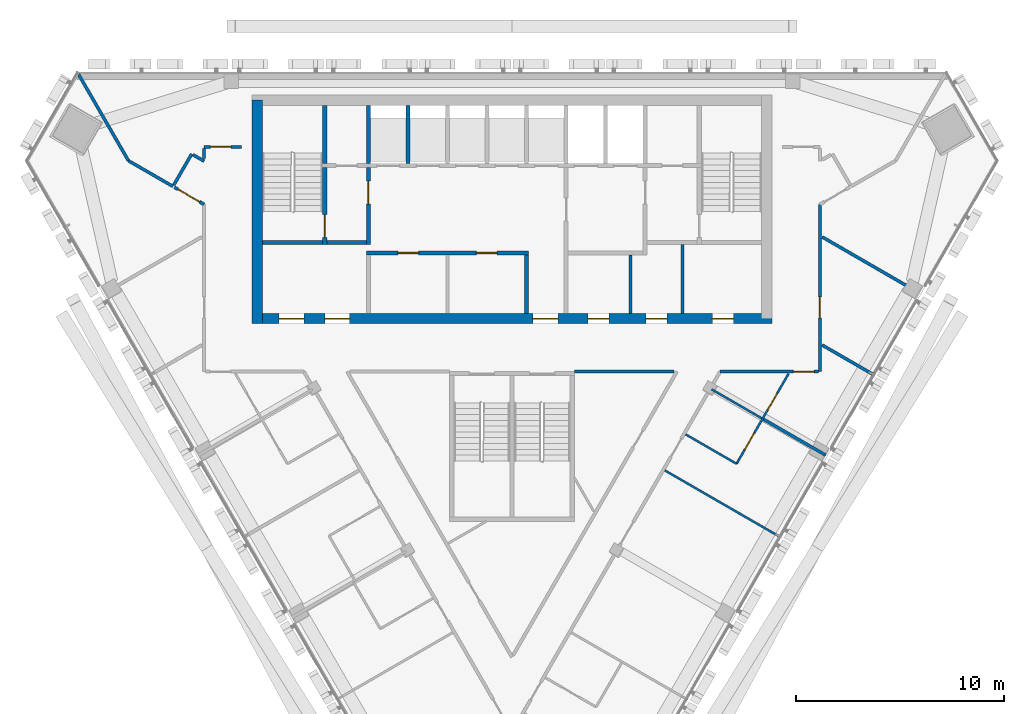
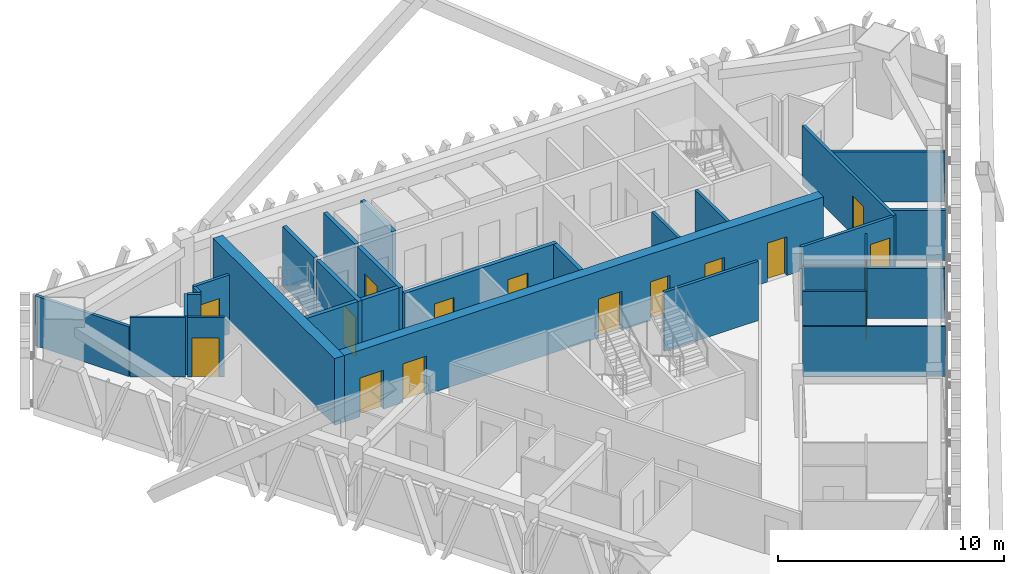
# One storey, part 9 of 14: 30 walls, 16 doors, 16 openings.
"""IFC4 building model written with IfcOpenShell, lengths in metres."""

from ifc_helpers import new_model, si_unit, direction, frame, frame_2d, origin, place, context, subcontext, project, spatial, rectangle, extrude, material, layer, layer_set, type_object, element, fill, save


model = new_model("IFC4")

# Units and contexts
model_context = context("Model", 3, precision=1e-05, world=origin(), true_north=direction((0.0, 1.0)))
body_context = subcontext(model_context, "Body", "Model", "MODEL_VIEW")
ifc_project = project(units=[si_unit("LENGTHUNIT", "METRE"), si_unit("AREAUNIT", "SQUARE_METRE"), si_unit("VOLUMEUNIT", "CUBIC_METRE"), si_unit("PLANEANGLEUNIT", "RADIAN"), si_unit("MASSUNIT", "GRAM", prefix="KILO")], contexts=[model_context])

# Site, building, storey
site_placement = place(None, origin())
site = spatial("IfcSite", under=ifc_project, at=site_placement, CompositionType="ELEMENT")
building_placement = place(site_placement, origin())
building = spatial("IfcBuilding", under=site, at=building_placement, Name="Altiplano Prism Tower", CompositionType="ELEMENT")
storey_placement = place(building_placement, frame((0.0, 0.0, 264.39990234375)))
storey = spatial("IfcBuildingStorey", under=building, at=storey_placement, Name="L68", CompositionType="ELEMENT", Elevation=264.39990234375)

# Wall, openings, doors
ifc_material_1 = material(Name="Concrete C60/75", Category="concrete")
ifc_layer_1 = layer(ifc_material_1, 0.5)
ifc_layer_set_1 = layer_set([ifc_layer_1], Name="Concrete C60/75")
wall_type_1 = type_object("IfcWallType", Name="Core wall 500", PredefinedType="SHEAR", material=ifc_layer_set_1)
wall_1_placement = place(storey_placement, frame((72.75, 93.14990234375, 0.0), z_axis=(0.0, 0.0, 1.0), x_axis=(1.0, 0.0, 0.0)))
wall_1 = element("IfcWall", 1, at=wall_1_placement, inside=storey, type_object=wall_type_1, Name="Core wall S L68", PredefinedType="SHEAR", context=body_context, shape_type="SweptSolid", body=[
    extrude(rectangle(XDim=24.75, YDim=0.5, at=frame_2d((12.375, 0.0))), origin(), (0.0, 0.0, 1.0), 3.60009765625),
])
opening_1_placement = place(wall_1_placement, frame((1.050048828125, 0.0, 0.0)))
opening_1 = element("IfcOpeningElement", 2, at=opening_1_placement, cuts=wall_1, Name="Opening D3537", PredefinedType="OPENING", context=body_context, shape_type="SweptSolid", body=[
    extrude(rectangle(XDim=1.199951171875, YDim=2.10009765625, at=frame_2d((0.60009765625, 1.050048828125))), frame((0.0, 0.260498046875, 0.0), z_axis=(0.0, -1.0, 0.0), x_axis=(1.0, 0.0, 0.0)), (0.0, 0.0, 1.0), 0.52099609375),
])
opening_2_placement = place(wall_1_placement, frame((3.25, 0.0, 0.0)))
opening_2 = element("IfcOpeningElement", 3, at=opening_2_placement, cuts=wall_1, Name="Opening D3538", PredefinedType="OPENING", context=body_context, shape_type="SweptSolid", body=[
    extrude(rectangle(XDim=1.199951171875, YDim=2.10009765625, at=frame_2d((0.60009765625, 1.050048828125))), frame((0.0, 0.260498046875, 0.0), z_axis=(0.0, -1.0, 0.0), x_axis=(1.0, 0.0, 0.0)), (0.0, 0.0, 1.0), 0.52099609375),
])
opening_3_placement = place(wall_1_placement, frame((13.25, 0.0, 0.0)))
opening_3 = element("IfcOpeningElement", 4, at=opening_3_placement, cuts=wall_1, Name="Opening D3539", PredefinedType="OPENING", context=body_context, shape_type="SweptSolid", body=[
    extrude(rectangle(XDim=1.199951171875, YDim=2.10009765625, at=frame_2d((0.60009765625, 1.050048828125))), frame((0.0, 0.260498046875, 0.0), z_axis=(0.0, -1.0, 0.0), x_axis=(1.0, 0.0, 0.0)), (0.0, 0.0, 1.0), 0.52099609375),
])
opening_4_placement = place(wall_1_placement, frame((15.91259765625, 0.0, 0.0)))
opening_4 = element("IfcOpeningElement", 5, at=opening_4_placement, cuts=wall_1, Name="Opening D3542", PredefinedType="OPENING", context=body_context, shape_type="SweptSolid", body=[
    extrude(rectangle(XDim=1.0, YDim=2.10009765625, at=frame_2d((0.5, 1.050048828125))), frame((0.0, 0.260498046875, 0.0), z_axis=(0.0, -1.0, 0.0), x_axis=(1.0, 0.0, 0.0)), (0.0, 0.0, 1.0), 0.52099609375),
])
opening_5_placement = place(wall_1_placement, frame((18.699951171875, 0.0, 0.0)))
opening_5 = element("IfcOpeningElement", 6, at=opening_5_placement, cuts=wall_1, Name="Opening D3543", PredefinedType="OPENING", context=body_context, shape_type="SweptSolid", body=[
    extrude(rectangle(XDim=1.0, YDim=2.10009765625, at=frame_2d((0.5, 1.050048828125))), frame((0.0, 0.260498046875, 0.0), z_axis=(0.0, -1.0, 0.0), x_axis=(1.0, 0.0, 0.0)), (0.0, 0.0, 1.0), 0.52099609375),
])
opening_6_placement = place(wall_1_placement, frame((21.887451171875, 0.0, 0.0)))
opening_6 = element("IfcOpeningElement", 7, at=opening_6_placement, cuts=wall_1, Name="Opening D3544", PredefinedType="OPENING", context=body_context, shape_type="SweptSolid", body=[
    extrude(rectangle(XDim=1.0, YDim=2.10009765625, at=frame_2d((0.5, 1.050048828125))), frame((0.0, 0.260498046875, 0.0), z_axis=(0.0, -1.0, 0.0), x_axis=(1.0, 0.0, 0.0)), (0.0, 0.0, 1.0), 0.52099609375),
])
ifc_material_2 = material(Name="Fire-rated steel door", Category="steel")
door_type_1 = type_object("IfcDoorType", Name="Core room door 1000 x 2100", OperationType="NOTDEFINED", PredefinedType="NOTDEFINED", material=ifc_material_2)
door_1_placement = place(opening_4_placement, origin())
door_1 = element("IfcDoor", 8, at=door_1_placement, inside=storey, type_object=door_type_1, Name="Core room door D3542", OperationType="SINGLE_SWING_RIGHT", OverallHeight=2.10009765625, OverallWidth=1.0, PredefinedType="NOTDEFINED", context=body_context, shape_type="SweptSolid", body=[
    extrude(rectangle(XDim=1.0, YDim=2.10009765625, at=frame_2d((0.5, 1.050048828125))), frame((0.0, 0.02490234375, 0.0), z_axis=(0.0, -1.0, 0.0), x_axis=(1.0, 0.0, 0.0)), (0.0, 0.0, 1.0), 0.050048828125),
])
fill(opening_4, door_1)
door_2_placement = place(opening_5_placement, origin())
door_2 = element("IfcDoor", 9, at=door_2_placement, inside=storey, type_object=door_type_1, Name="Core room door D3543", OperationType="SINGLE_SWING_LEFT", OverallHeight=2.10009765625, OverallWidth=1.0, PredefinedType="NOTDEFINED", context=body_context, shape_type="SweptSolid", body=[
    extrude(rectangle(XDim=1.0, YDim=2.10009765625, at=frame_2d((0.5, 1.050048828125))), frame((0.0, 0.02490234375, 0.0), z_axis=(0.0, -1.0, 0.0), x_axis=(1.0, 0.0, 0.0)), (0.0, 0.0, 1.0), 0.050048828125),
])
fill(opening_5, door_2)
door_3_placement = place(opening_6_placement, origin())
door_3 = element("IfcDoor", 10, at=door_3_placement, inside=storey, type_object=door_type_1, Name="Core room door D3544", OperationType="SINGLE_SWING_RIGHT", OverallHeight=2.10009765625, OverallWidth=1.0, PredefinedType="NOTDEFINED", context=body_context, shape_type="SweptSolid", body=[
    extrude(rectangle(XDim=1.0, YDim=2.10009765625, at=frame_2d((0.5, 1.050048828125))), frame((0.0, 0.02490234375, 0.0), z_axis=(0.0, -1.0, 0.0), x_axis=(1.0, 0.0, 0.0)), (0.0, 0.0, 1.0), 0.050048828125),
])
fill(opening_6, door_3)
door_type_2 = type_object("IfcDoorType", Name="Lobby fire door 1200 x 2100", OperationType="NOTDEFINED", PredefinedType="NOTDEFINED", material=ifc_material_2)
door_4_placement = place(opening_1_placement, origin())
door_4 = element("IfcDoor", 11, at=door_4_placement, inside=storey, type_object=door_type_2, Name="Lobby fire door D3537", OperationType="SINGLE_SWING_RIGHT", OverallHeight=2.10009765625, OverallWidth=1.199951171875, PredefinedType="NOTDEFINED", context=body_context, shape_type="SweptSolid", body=[
    extrude(rectangle(XDim=1.199951171875, YDim=2.10009765625, at=frame_2d((0.60009765625, 1.050048828125))), frame((0.0, 0.02490234375, 0.0), z_axis=(0.0, -1.0, 0.0), x_axis=(1.0, 0.0, 0.0)), (0.0, 0.0, 1.0), 0.050048828125),
])
fill(opening_1, door_4)
door_5_placement = place(opening_2_placement, origin())
door_5 = element("IfcDoor", 12, at=door_5_placement, inside=storey, type_object=door_type_2, Name="Lobby fire door D3538", OperationType="SINGLE_SWING_LEFT", OverallHeight=2.10009765625, OverallWidth=1.199951171875, PredefinedType="NOTDEFINED", context=body_context, shape_type="SweptSolid", body=[
    extrude(rectangle(XDim=1.199951171875, YDim=2.10009765625, at=frame_2d((0.60009765625, 1.050048828125))), frame((0.0, 0.02490234375, 0.0), z_axis=(0.0, -1.0, 0.0), x_axis=(1.0, 0.0, 0.0)), (0.0, 0.0, 1.0), 0.050048828125),
])
fill(opening_2, door_5)
door_6_placement = place(opening_3_placement, origin())
door_6 = element("IfcDoor", 13, at=door_6_placement, inside=storey, type_object=door_type_2, Name="Lobby fire door D3539", OperationType="SINGLE_SWING_RIGHT", OverallHeight=2.10009765625, OverallWidth=1.199951171875, PredefinedType="NOTDEFINED", context=body_context, shape_type="SweptSolid", body=[
    extrude(rectangle(XDim=1.199951171875, YDim=2.10009765625, at=frame_2d((0.60009765625, 1.050048828125))), frame((0.0, 0.02490234375, 0.0), z_axis=(0.0, -1.0, 0.0), x_axis=(1.0, 0.0, 0.0)), (0.0, 0.0, 1.0), 0.050048828125),
])
fill(opening_3, door_6)

# Walls
wall_2_placement = place(storey_placement, frame((72.75, 103.64990234375, 0.0), z_axis=(0.0, 0.0, 1.0), x_axis=(0.0, -1.0, 0.0)))
element("IfcWall", 14, at=wall_2_placement, inside=storey, type_object=wall_type_1, Name="Core wall W L68", PredefinedType="SHEAR", context=body_context, shape_type="SweptSolid", body=[
    extrude(rectangle(XDim=10.75, YDim=0.5, at=frame_2d((5.375, 0.0))), origin(), (0.0, 0.0, 1.0), 3.60009765625),
])
ifc_material_3 = material(Name="Plasterboard on steel stud", Category="steel")
ifc_layer_2 = layer(ifc_material_3, 0.10009765625)
ifc_layer_set_2 = layer_set([ifc_layer_2], Name="Plasterboard on steel stud")
wall_type_2 = type_object("IfcWallType", Name="Partition 100 unit", PredefinedType="PARTITIONING", material=ifc_layer_set_2)
wall_3_placement = place(storey_placement, frame((95.7939453125, 86.16845703125, 0.0), z_axis=(0.0, 0.0, 1.0), x_axis=(-0.866048868473, 0.499959355765, 0.0)))
element("IfcWall", 15, at=wall_3_placement, inside=storey, type_object=wall_type_2, Name="Partition P02 L68 045", PredefinedType="PARTITIONING", context=body_context, shape_type="SweptSolid", body=[
    extrude(rectangle(XDim=2.824951171875, YDim=0.10009765625, at=frame_2d((1.41259765625, 0.0))), origin(), (0.0, 0.0, 1.0), 3.2001953125),
])

# Wall, openings, doors
wall_4_placement = place(storey_placement, frame((98.2939453125, 90.49853515625, 0.0), z_axis=(0.0, 0.0, 1.0), x_axis=(-0.500004234368, -0.866022959057, 0.0)))
wall_4 = element("IfcWall", 16, at=wall_4_placement, inside=storey, type_object=wall_type_2, Name="Partition P02 L68 048", PredefinedType="PARTITIONING", context=body_context, shape_type="SweptSolid", body=[
    extrude(rectangle(XDim=5.0, YDim=0.10009765625, at=frame_2d((2.5, 0.0))), origin(), (0.0, 0.0, 1.0), 2.800048828125),
])
opening_7_placement = place(wall_4_placement, frame((3.300048828125, 0.0, 0.0)))
opening_7 = element("IfcOpeningElement", 17, at=opening_7_placement, cuts=wall_4, Name="Opening D2172", PredefinedType="OPENING", context=body_context, shape_type="SweptSolid", body=[
    extrude(rectangle(XDim=0.89990234375, YDim=2.10009765625, at=frame_2d((0.449951171875, 1.050048828125))), frame((0.0, 0.060546875, 0.0), z_axis=(0.0, -1.0, 0.0), x_axis=(1.0, 0.0, 0.0)), (0.0, 0.0, 1.0), 0.12109375),
])
opening_8_placement = place(wall_4_placement, frame((1.097900390625, 0.0, 0.0)))
opening_8 = element("IfcOpeningElement", 18, at=opening_8_placement, cuts=wall_4, Name="Opening D2174", PredefinedType="OPENING", context=body_context, shape_type="SweptSolid", body=[
    extrude(rectangle(XDim=0.89990234375, YDim=2.10009765625, at=frame_2d((0.449951171875, 1.050048828125))), frame((0.0, 0.060546875, 0.0), z_axis=(0.0, -1.0, 0.0), x_axis=(1.0, 0.0, 0.0)), (0.0, 0.0, 1.0), 0.12109375),
])
ifc_material_4 = material(Name="Timber", Category="wood")
door_type_3 = type_object("IfcDoorType", Name="Ensuite door 900 x 2100", OperationType="NOTDEFINED", PredefinedType="NOTDEFINED", material=ifc_material_4)
door_7_placement = place(opening_7_placement, origin())
door_7 = element("IfcDoor", 19, at=door_7_placement, inside=storey, type_object=door_type_3, Name="Door D2172", OperationType="SINGLE_SWING_RIGHT", OverallHeight=2.10009765625, OverallWidth=0.89990234375, PredefinedType="NOTDEFINED", context=body_context, shape_type="SweptSolid", body=[
    extrude(rectangle(XDim=0.89990234375, YDim=2.10009765625, at=frame_2d((0.449951171875, 1.050048828125))), frame((0.0, 0.02490234375, 0.0), z_axis=(0.0, -1.0, 0.0), x_axis=(1.0, 0.0, 0.0)), (0.0, 0.0, 1.0), 0.050048828125),
])
fill(opening_7, door_7)
door_8_placement = place(opening_8_placement, origin())
door_8 = element("IfcDoor", 20, at=door_8_placement, inside=storey, type_object=door_type_3, Name="Door D2174", OperationType="SINGLE_SWING_LEFT", OverallHeight=2.10009765625, OverallWidth=0.89990234375, PredefinedType="NOTDEFINED", context=body_context, shape_type="SweptSolid", body=[
    extrude(rectangle(XDim=0.89990234375, YDim=2.10009765625, at=frame_2d((0.449951171875, 1.050048828125))), frame((0.0, 0.02490234375, 0.0), z_axis=(0.0, -1.0, 0.0), x_axis=(1.0, 0.0, 0.0)), (0.0, 0.0, 1.0), 0.050048828125),
])
fill(opening_8, door_8)

# Walls
ifc_layer_3 = layer(ifc_material_3, 0.10009765625)
ifc_layer_set_3 = layer_set([ifc_layer_3], Name="Plasterboard on steel stud")
wall_type_3 = type_object("IfcWallType", Name="Partition 100 wet", PredefinedType="PARTITIONING", material=ifc_layer_set_3)
wall_5_placement = place(storey_placement, frame((97.842529296875, 82.67626953125, 0.0), z_axis=(0.0, 0.0, 1.0), x_axis=(-0.866025401434, 0.500000004071, 0.0)))
element("IfcWall", 21, at=wall_5_placement, inside=storey, type_object=wall_type_3, Name="Partition P03 L68 044", PredefinedType="PARTITIONING", context=body_context, shape_type="SweptSolid", body=[
    extrude(rectangle(XDim=6.34521484375, YDim=0.10009765625, at=frame_2d((3.172607421875, 0.0))), origin(), (0.0, 0.0, 1.0), 2.7001953125),
])
wall_6_placement = place(storey_placement, frame((97.000732421875, 88.3583984375, 0.0), z_axis=(0.0, 0.0, 1.0), x_axis=(-0.866042014628, 0.499971228071, 0.0)))
element("IfcWall", 22, at=wall_6_placement, inside=storey, type_object=wall_type_3, Name="Partition P03 L68 047", PredefinedType="PARTITIONING", context=body_context, shape_type="SweptSolid", body=[
    extrude(rectangle(XDim=2.775146484375, YDim=0.10009765625, at=frame_2d((1.3876953125, 0.0))), origin(), (0.0, 0.0, 1.0), 2.800048828125),
])
ifc_layer_4 = layer(ifc_material_3, 0.14990234375)
ifc_layer_set_4 = layer_set([ifc_layer_4], Name="Plasterboard on steel stud")
wall_type_4 = type_object("IfcWallType", Name="Partition 150 corridor", PredefinedType="PARTITIONING", material=ifc_layer_set_4)
wall_7_placement = place(storey_placement, frame((88.0, 90.59912109375, 0.0), z_axis=(0.0, 0.0, 1.0), x_axis=(0.999999988337, 0.00015272616, 0.0)))
element("IfcWall", 23, at=wall_7_placement, inside=storey, type_object=wall_type_4, Name="Partition P06 L68 001", PredefinedType="PARTITIONING", context=body_context, shape_type="SweptSolid", body=[
    extrude(rectangle(XDim=4.795654296875, YDim=0.14990234375, at=frame_2d((2.39794921875, 0.0))), origin(), (0.0, 0.0, 1.0), 3.2001953125),
])

# Wall, opening, door
wall_8_placement = place(storey_placement, frame((68.767822265625, 99.46240234375, 0.0), z_axis=(0.0, 0.0, 1.0), x_axis=(0.866072496716, -0.499918423778, 0.0)))
wall_8 = element("IfcWall", 24, at=wall_8_placement, inside=storey, type_object=wall_type_4, Name="Partition P06 L68 005", PredefinedType="PARTITIONING", context=body_context, shape_type="SweptSolid", body=[
    extrude(rectangle(XDim=1.653564453125, YDim=0.14990234375, at=frame_2d((0.82666015625, 0.0))), origin(), (0.0, 0.0, 1.0), 3.2001953125),
])
opening_9_placement = place(wall_8_placement, frame((0.199951171875, 0.0, 0.0)))
opening_9 = element("IfcOpeningElement", 25, at=opening_9_placement, cuts=wall_8, Name="Opening D2157", PredefinedType="OPENING", context=body_context, shape_type="SweptSolid", body=[
    extrude(rectangle(XDim=1.199951171875, YDim=2.10009765625, at=frame_2d((0.60009765625, 1.050048828125))), frame((0.0, 0.08544921875, 0.0), z_axis=(0.0, -1.0, 0.0), x_axis=(1.0, 0.0, 0.0)), (0.0, 0.0, 1.0), 0.1708984375),
])
door_type_4 = type_object("IfcDoorType", Name="Shared room door 1200 x 2100", OperationType="NOTDEFINED", PredefinedType="NOTDEFINED", material=ifc_material_4)
door_9_placement = place(opening_9_placement, origin())
door_9 = element("IfcDoor", 26, at=door_9_placement, inside=storey, type_object=door_type_4, Name="Door D2157", OperationType="SINGLE_SWING_RIGHT", OverallHeight=2.10009765625, OverallWidth=1.199951171875, PredefinedType="NOTDEFINED", context=body_context, shape_type="SweptSolid", body=[
    extrude(rectangle(XDim=1.199951171875, YDim=2.10009765625, at=frame_2d((0.60009765625, 1.050048828125))), frame((0.0, 0.02490234375, 0.0), z_axis=(0.0, -1.0, 0.0), x_axis=(1.0, 0.0, 0.0)), (0.0, 0.0, 1.0), 0.050048828125),
])
fill(opening_9, door_9)

wall_9_placement = place(storey_placement, frame((95.00390625, 90.60009765625, 0.0), z_axis=(0.0, 0.0, 1.0), x_axis=(1.0, 0.0, 0.0)))
wall_9 = element("IfcWall", 27, at=wall_9_placement, inside=storey, type_object=wall_type_4, Name="Partition P06 L68 010", PredefinedType="PARTITIONING", context=body_context, shape_type="SweptSolid", body=[
    extrude(rectangle(XDim=4.72119140625, YDim=0.14990234375, at=frame_2d((2.360595703125, 0.0))), origin(), (0.0, 0.0, 1.0), 3.2001953125),
])
opening_10_placement = place(wall_9_placement, frame((3.52099609375, 0.0, 0.0)))
opening_10 = element("IfcOpeningElement", 28, at=opening_10_placement, cuts=wall_9, Name="Opening D2173", PredefinedType="OPENING", context=body_context, shape_type="SweptSolid", body=[
    extrude(rectangle(XDim=1.0, YDim=2.10009765625, at=frame_2d((0.5, 1.050048828125))), frame((0.0, 0.08544921875, 0.0), z_axis=(0.0, -1.0, 0.0), x_axis=(1.0, 0.0, 0.0)), (0.0, 0.0, 1.0), 0.1708984375),
])
door_type_5 = type_object("IfcDoorType", Name="Bedroom entrance door 1000 x 2100", OperationType="NOTDEFINED", PredefinedType="NOTDEFINED", material=ifc_material_4)
door_10_placement = place(opening_10_placement, origin())
door_10 = element("IfcDoor", 29, at=door_10_placement, inside=storey, type_object=door_type_5, Name="Door D2173", OperationType="SINGLE_SWING_RIGHT", OverallHeight=2.10009765625, OverallWidth=1.0, PredefinedType="NOTDEFINED", context=body_context, shape_type="SweptSolid", body=[
    extrude(rectangle(XDim=1.0, YDim=2.10009765625, at=frame_2d((0.5, 1.050048828125))), frame((0.0, 0.02490234375, 0.0), z_axis=(0.0, -1.0, 0.0), x_axis=(1.0, 0.0, 0.0)), (0.0, 0.0, 1.0), 0.050048828125),
])
fill(opening_10, door_10)

wall_10_placement = place(storey_placement, frame((99.800048828125, 90.60009765625, 0.0), z_axis=(0.0, 0.0, 1.0), x_axis=(0.0, 1.0, 0.0)))
wall_10 = element("IfcWall", 30, at=wall_10_placement, inside=storey, type_object=wall_type_4, Name="Partition P06 L68 011", PredefinedType="PARTITIONING", context=body_context, shape_type="SweptSolid", body=[
    extrude(rectangle(XDim=8.03564453125, YDim=0.14990234375, at=frame_2d((4.017822265625, 0.0))), origin(), (0.0, 0.0, 1.0), 3.2001953125),
])
opening_11_placement = place(wall_10_placement, frame((2.5859375, 0.0, 0.0)))
opening_11 = element("IfcOpeningElement", 31, at=opening_11_placement, cuts=wall_10, Name="Opening D2175", PredefinedType="OPENING", context=body_context, shape_type="SweptSolid", body=[
    extrude(rectangle(XDim=1.0, YDim=2.10009765625, at=frame_2d((0.5, 1.050048828125))), frame((0.0, 0.08544921875, 0.0), z_axis=(0.0, -1.0, 0.0), x_axis=(1.0, 0.0, 0.0)), (0.0, 0.0, 1.0), 0.1708984375),
])
door_type_6 = type_object("IfcDoorType", Name="Room door 1000 x 2100", OperationType="NOTDEFINED", PredefinedType="NOTDEFINED", material=ifc_material_4)
door_11_placement = place(opening_11_placement, origin())
door_11 = element("IfcDoor", 32, at=door_11_placement, inside=storey, type_object=door_type_6, Name="Door D2175", OperationType="SINGLE_SWING_LEFT", OverallHeight=2.10009765625, OverallWidth=1.0, PredefinedType="NOTDEFINED", context=body_context, shape_type="SweptSolid", body=[
    extrude(rectangle(XDim=1.0, YDim=2.10009765625, at=frame_2d((0.5, 1.050048828125))), frame((0.0, 0.02490234375, 0.0), z_axis=(0.0, -1.0, 0.0), x_axis=(1.0, 0.0, 0.0)), (0.0, 0.0, 1.0), 0.050048828125),
])
fill(opening_11, door_11)

wall_11_placement = place(storey_placement, frame((72.0, 101.39990234375, 0.0), z_axis=(0.0, 0.0, 1.0), x_axis=(-1.0, 0.0, 0.0)))
wall_11 = element("IfcWall", 33, at=wall_11_placement, inside=storey, type_object=wall_type_4, Name="Partition P06 L68 013", PredefinedType="PARTITIONING", context=body_context, shape_type="SweptSolid", body=[
    extrude(rectangle(XDim=1.800048828125, YDim=0.14990234375, at=frame_2d((0.89990234375, 0.0))), origin(), (0.0, 0.0, 1.0), 3.2001953125),
])
opening_12_placement = place(wall_11_placement, frame((0.5029296875, 0.0, 0.0)))
opening_12 = element("IfcOpeningElement", 34, at=opening_12_placement, cuts=wall_11, Name="Opening D2177", PredefinedType="OPENING", context=body_context, shape_type="SweptSolid", body=[
    extrude(rectangle(XDim=1.0, YDim=2.10009765625, at=frame_2d((0.5, 1.050048828125))), frame((0.0, 0.08544921875, 0.0), z_axis=(0.0, -1.0, 0.0), x_axis=(1.0, 0.0, 0.0)), (0.0, 0.0, 1.0), 0.1708984375),
])
door_12_placement = place(opening_12_placement, origin())
door_12 = element("IfcDoor", 35, at=door_12_placement, inside=storey, type_object=door_type_6, Name="Door D2177", OperationType="SINGLE_SWING_LEFT", OverallHeight=2.10009765625, OverallWidth=1.0, PredefinedType="NOTDEFINED", context=body_context, shape_type="SweptSolid", body=[
    extrude(rectangle(XDim=1.0, YDim=2.10009765625, at=frame_2d((0.5, 1.050048828125))), frame((0.0, 0.02490234375, 0.0), z_axis=(0.0, -1.0, 0.0), x_axis=(1.0, 0.0, 0.0)), (0.0, 0.0, 1.0), 0.050048828125),
])
fill(opening_12, door_12)

# Walls
wall_12_placement = place(storey_placement, frame((70.199951171875, 101.324951171875, 0.0), z_axis=(0.0, 0.0, 1.0), x_axis=(0.0, -1.0, 0.0)))
element("IfcWall", 36, at=wall_12_placement, inside=storey, type_object=wall_type_4, Name="Partition P06 L68 014", PredefinedType="PARTITIONING", context=body_context, shape_type="SweptSolid", body=[
    extrude(rectangle(XDim=0.48095703125, YDim=0.14990234375, at=frame_2d((0.240478515625, 0.0))), origin(), (0.0, 0.0, 1.0), 3.2001953125),
])
wall_13_placement = place(storey_placement, frame((70.199951171875, 100.714111328125, 0.0), z_axis=(0.0, 0.0, 1.0), x_axis=(-0.866033360935, 0.499986217557, 0.0)))
element("IfcWall", 37, at=wall_13_placement, inside=storey, type_object=wall_type_4, Name="Partition P06 L68 015", PredefinedType="PARTITIONING", context=body_context, shape_type="SweptSolid", body=[
    extrude(rectangle(XDim=0.6142578125, YDim=0.14990234375, at=frame_2d((0.30712890625, 0.0))), origin(), (0.0, 0.0, 1.0), 3.2001953125),
])
wall_14_placement = place(storey_placement, frame((69.60302734375, 101.058837890625, 0.0), z_axis=(0.0, 0.0, 1.0), x_axis=(-0.500020560727, -0.866013532718, 0.0)))
element("IfcWall", 38, at=wall_14_placement, inside=storey, type_object=wall_type_4, Name="Partition P06 L68 016", PredefinedType="PARTITIONING", context=body_context, shape_type="SweptSolid", body=[
    extrude(rectangle(XDim=1.72509765625, YDim=0.14990234375, at=frame_2d((0.862548828125, 0.0))), origin(), (0.0, 0.0, 1.0), 3.2001953125),
])
ifc_layer_5 = layer(ifc_material_3, 0.14990234375)
ifc_layer_set_5 = layer_set([ifc_layer_5], Name="Plasterboard on steel stud")
wall_type_5 = type_object("IfcWallType", Name="Partition 150 party", PredefinedType="PARTITIONING", material=ifc_layer_set_5)
wall_15_placement = place(storey_placement, frame((68.702880859375, 99.5, 0.0), z_axis=(0.0, 0.0, 1.0), x_axis=(-0.866002946681, 0.500038894826, 0.0)))
element("IfcWall", 39, at=wall_15_placement, inside=storey, type_object=wall_type_5, Name="Partition P01 L68 024", PredefinedType="PARTITIONING", context=body_context, shape_type="SweptSolid", body=[
    extrude(rectangle(XDim=2.470947265625, YDim=0.14990234375, at=frame_2d((1.2353515625, 0.0))), origin(), (0.0, 0.0, 1.0), 3.2001953125),
])
wall_16_placement = place(storey_placement, frame((66.56298828125, 100.735595703125, 0.0), z_axis=(0.0, 0.0, 1.0), x_axis=(-0.500005196218, 0.866022403726, 0.0)))
element("IfcWall", 40, at=wall_16_placement, inside=storey, type_object=wall_type_5, Name="Partition P01 L68 025", PredefinedType="PARTITIONING", context=body_context, shape_type="SweptSolid", body=[
    extrude(rectangle(XDim=4.80859375, YDim=0.14990234375, at=frame_2d((2.404296875, 0.0))), origin(), (0.0, 0.0, 1.0), 2.7001953125),
])
wall_17_placement = place(storey_placement, frame((100.074951171875, 86.58349609375, 0.0), z_axis=(0.0, 0.0, 1.0), x_axis=(-0.866044174857, 0.499967486139, 0.0)))
element("IfcWall", 41, at=wall_17_placement, inside=storey, type_object=wall_type_5, Name="Partition P01 L68 046", PredefinedType="PARTITIONING", context=body_context, shape_type="SweptSolid", body=[
    extrude(rectangle(XDim=3.449951171875, YDim=0.14990234375, at=frame_2d((1.72509765625, 0.0))), origin(), (0.0, 0.0, 1.0), 2.7001953125),
])
wall_18_placement = place(storey_placement, frame((102.342529296875, 90.470458984375, 0.0), z_axis=(0.0, 0.0, 1.0), x_axis=(-0.866001562501, 0.500041292042, 0.0)))
element("IfcWall", 42, at=wall_18_placement, inside=storey, type_object=wall_type_5, Name="Partition P01 L68 049", PredefinedType="PARTITIONING", context=body_context, shape_type="SweptSolid", body=[
    extrude(rectangle(XDim=2.805908203125, YDim=0.14990234375, at=frame_2d((1.40283203125, 0.0))), origin(), (0.0, 0.0, 1.0), 2.7001953125),
])
wall_19_placement = place(storey_placement, frame((104.574951171875, 94.377685546875, 0.0), z_axis=(0.0, 0.0, 1.0), x_axis=(-0.866018689825, 0.500011628738, 0.0)))
element("IfcWall", 43, at=wall_19_placement, inside=storey, type_object=wall_type_5, Name="Partition P01 L68 050", PredefinedType="PARTITIONING", context=body_context, shape_type="SweptSolid", body=[
    extrude(rectangle(XDim=5.383544921875, YDim=0.14990234375, at=frame_2d((2.69189453125, 0.0))), origin(), (0.0, 0.0, 1.0), 2.7001953125),
])
ifc_material_5 = material(Name="Fire-rated gypsum board partition")
ifc_layer_6 = layer(ifc_material_5, 0.14990234375)
ifc_layer_set_6 = layer_set([ifc_layer_6], Name="Fire-rated gypsum board partition")
wall_type_6 = type_object("IfcWallType", Name="Room partition 150", PredefinedType="PARTITIONING", material=ifc_layer_set_6)
wall_20_placement = place(storey_placement, frame((90.699951171875, 93.39990234375, 0.0), z_axis=(0.0, 0.0, 1.0), x_axis=(0.0, 1.0, 0.0)))
element("IfcWall", 44, at=wall_20_placement, inside=storey, type_object=wall_type_6, Name="Room partition L68", PredefinedType="PARTITIONING", context=body_context, shape_type="SweptSolid", body=[
    extrude(rectangle(XDim=2.800048828125, YDim=0.14990234375, at=frame_2d((1.39990234375, 0.0))), origin(), (0.0, 0.0, 1.0), 3.2001953125),
])
wall_21_placement = place(storey_placement, frame((93.199951171875, 93.39990234375, 0.0), z_axis=(0.0, 0.0, 1.0), x_axis=(0.0, 1.0, 0.0)))
element("IfcWall", 45, at=wall_21_placement, inside=storey, type_object=wall_type_6, Name="Room partition L68", PredefinedType="PARTITIONING", context=body_context, shape_type="SweptSolid", body=[
    extrude(rectangle(XDim=3.300048828125, YDim=0.14990234375, at=frame_2d((1.64990234375, 0.0))), origin(), (0.0, 0.0, 1.0), 3.2001953125),
])
ifc_layer_7 = layer(ifc_material_1, 0.199951171875)
ifc_layer_set_7 = layer_set([ifc_layer_7], Name="Concrete C60/75")
wall_type_7 = type_object("IfcWallType", Name="Shaft wall 200", PredefinedType="SOLIDWALL", material=ifc_layer_set_7)
for number, where, z_axis, x_axis, name in (
    (46, (78.10009765625, 100.60009765625, 0.0), (0.0, 0.0, 1.0), (0.0, 1.0, 0.0), "Shaft wall L68"),
    (47, (80.0, 100.60009765625, 0.0), (0.0, 0.0, 1.0), (0.0, 1.0, 0.0), "Shaft wall L68"),
):
    element("IfcWall", number, at=place(storey_placement, frame(where, z_axis=z_axis, x_axis=x_axis)), inside=storey, type_object=wall_type_7, Name=name, PredefinedType="SOLIDWALL", context=body_context, shape_type="SweptSolid", body=[
        extrude(rectangle(XDim=2.7998046875, YDim=0.199951171875, at=frame_2d((1.39990234375, 0.0))), origin(), (0.0, 0.0, 1.0), 3.2001953125),
    ])
ifc_layer_8 = layer(ifc_material_1, 0.199951171875)
ifc_layer_set_8 = layer_set([ifc_layer_8], Name="Concrete C60/75")
wall_type_8 = type_object("IfcWallType", Name="Stair wall 200", PredefinedType="SOLIDWALL", material=ifc_layer_set_8)
wall_22_placement = place(storey_placement, frame((73.0, 96.800048828125, 0.0), z_axis=(0.0, 0.0, 1.0), x_axis=(1.0, 0.0, 0.0)))
element("IfcWall", 48, at=wall_22_placement, inside=storey, type_object=wall_type_8, Name="Stair wall L68", PredefinedType="SOLIDWALL", context=body_context, shape_type="SweptSolid", body=[
    extrude(rectangle(XDim=2.89990234375, YDim=0.199951171875, at=frame_2d((1.449951171875, 0.0))), origin(), (0.0, 0.0, 1.0), 3.2001953125),
])

# Wall, opening, door
wall_23_placement = place(storey_placement, frame((76.0, 96.699951171875, 0.0), z_axis=(0.0, 0.0, 1.0), x_axis=(0.0, 1.0, 0.0)))
wall_23 = element("IfcWall", 49, at=wall_23_placement, inside=storey, type_object=wall_type_8, Name="Stair wall L68", PredefinedType="SOLIDWALL", context=body_context, shape_type="SweptSolid", body=[
    extrude(rectangle(XDim=3.699951171875, YDim=0.199951171875, at=frame_2d((1.85009765625, 0.0))), origin(), (0.0, 0.0, 1.0), 3.2001953125),
])
opening_13_placement = place(wall_23_placement, frame((0.35009765625, 0.0, 0.0)))
opening_13 = element("IfcOpeningElement", 50, at=opening_13_placement, cuts=wall_23, Name="Opening D3532", PredefinedType="OPENING", context=body_context, shape_type="SweptSolid", body=[
    extrude(rectangle(XDim=1.10009765625, YDim=2.10009765625, at=frame_2d((0.550048828125, 1.050048828125))), frame((0.0, 0.1103515625, 0.0), z_axis=(0.0, -1.0, 0.0), x_axis=(1.0, 0.0, 0.0)), (0.0, 0.0, 1.0), 0.220947265625),
])
door_type_7 = type_object("IfcDoorType", Name="Stair fire door 1100 x 2100", OperationType="NOTDEFINED", PredefinedType="NOTDEFINED", material=ifc_material_2)
door_13_placement = place(opening_13_placement, origin())
door_13 = element("IfcDoor", 51, at=door_13_placement, inside=storey, type_object=door_type_7, Name="Stair fire door D3532", OperationType="SINGLE_SWING_RIGHT", OverallHeight=2.10009765625, OverallWidth=1.10009765625, PredefinedType="NOTDEFINED", context=body_context, shape_type="SweptSolid", body=[
    extrude(rectangle(XDim=1.10009765625, YDim=2.10009765625, at=frame_2d((0.550048828125, 1.050048828125))), frame((0.0, 0.02490234375, 0.0), z_axis=(0.0, -1.0, 0.0), x_axis=(1.0, 0.0, 0.0)), (0.0, 0.0, 1.0), 0.050048828125),
])
fill(opening_13, door_13)

# Walls
wall_24_placement = place(storey_placement, frame((76.0, 100.60009765625, 0.0), z_axis=(0.0, 0.0, 1.0), x_axis=(0.0, 1.0, 0.0)))
element("IfcWall", 52, at=wall_24_placement, inside=storey, type_object=wall_type_8, Name="Stair wall L68", PredefinedType="SOLIDWALL", context=body_context, shape_type="SweptSolid", body=[
    extrude(rectangle(XDim=2.7998046875, YDim=0.199951171875, at=frame_2d((1.39990234375, 0.0))), origin(), (0.0, 0.0, 1.0), 3.2001953125),
])
ifc_layer_9 = layer(ifc_material_1, 0.199951171875)
ifc_layer_set_9 = layer_set([ifc_layer_9], Name="Concrete C60/75")
wall_type_9 = type_object("IfcWallType", Name="Vestibule wall 200", PredefinedType="PARTITIONING", material=ifc_layer_set_9)
wall_25_placement = place(storey_placement, frame((85.699951171875, 93.39990234375, 0.0), z_axis=(0.0, 0.0, 1.0), x_axis=(0.0, 1.0, 0.0)))
element("IfcWall", 53, at=wall_25_placement, inside=storey, type_object=wall_type_9, Name="Vestibule wall L68", PredefinedType="PARTITIONING", context=body_context, shape_type="SweptSolid", body=[
    extrude(rectangle(XDim=2.800048828125, YDim=0.199951171875, at=frame_2d((1.39990234375, 0.0))), origin(), (0.0, 0.0, 1.0), 3.2001953125),
])

# Wall, openings, doors
wall_26_placement = place(storey_placement, frame((78.0, 96.300048828125, 0.0), z_axis=(0.0, 0.0, 1.0), x_axis=(1.0, 0.0, 0.0)))
wall_26 = element("IfcWall", 54, at=wall_26_placement, inside=storey, type_object=wall_type_9, Name="Vestibule wall L68", PredefinedType="PARTITIONING", context=body_context, shape_type="SweptSolid", body=[
    extrude(rectangle(XDim=7.800048828125, YDim=0.199951171875, at=frame_2d((3.89990234375, 0.0))), origin(), (0.0, 0.0, 1.0), 3.2001953125),
])
opening_14_placement = place(wall_26_placement, frame((1.512451171875, 0.0, 0.0)))
opening_14 = element("IfcOpeningElement", 55, at=opening_14_placement, cuts=wall_26, Name="Opening D3545", PredefinedType="OPENING", context=body_context, shape_type="SweptSolid", body=[
    extrude(rectangle(XDim=1.0, YDim=2.10009765625, at=frame_2d((0.5, 1.050048828125))), frame((0.0, 0.1103515625, 0.0), z_axis=(0.0, -1.0, 0.0), x_axis=(1.0, 0.0, 0.0)), (0.0, 0.0, 1.0), 0.220947265625),
])
opening_15_placement = place(wall_26_placement, frame((5.28759765625, 0.0, 0.0)))
opening_15 = element("IfcOpeningElement", 56, at=opening_15_placement, cuts=wall_26, Name="Opening D3546", PredefinedType="OPENING", context=body_context, shape_type="SweptSolid", body=[
    extrude(rectangle(XDim=1.0, YDim=2.10009765625, at=frame_2d((0.5, 1.050048828125))), frame((0.0, 0.1103515625, 0.0), z_axis=(0.0, -1.0, 0.0), x_axis=(1.0, 0.0, 0.0)), (0.0, 0.0, 1.0), 0.220947265625),
])
door_14_placement = place(opening_14_placement, origin())
door_14 = element("IfcDoor", 57, at=door_14_placement, inside=storey, type_object=door_type_1, Name="Core room door D3545", OperationType="SINGLE_SWING_RIGHT", OverallHeight=2.10009765625, OverallWidth=1.0, PredefinedType="NOTDEFINED", context=body_context, shape_type="SweptSolid", body=[
    extrude(rectangle(XDim=1.0, YDim=2.10009765625, at=frame_2d((0.5, 1.050048828125))), frame((0.0, 0.02490234375, 0.0), z_axis=(0.0, -1.0, 0.0), x_axis=(1.0, 0.0, 0.0)), (0.0, 0.0, 1.0), 0.050048828125),
])
fill(opening_14, door_14)
door_15_placement = place(opening_15_placement, origin())
door_15 = element("IfcDoor", 58, at=door_15_placement, inside=storey, type_object=door_type_1, Name="Core room door D3546", OperationType="SINGLE_SWING_RIGHT", OverallHeight=2.10009765625, OverallWidth=1.0, PredefinedType="NOTDEFINED", context=body_context, shape_type="SweptSolid", body=[
    extrude(rectangle(XDim=1.0, YDim=2.10009765625, at=frame_2d((0.5, 1.050048828125))), frame((0.0, 0.02490234375, 0.0), z_axis=(0.0, -1.0, 0.0), x_axis=(1.0, 0.0, 0.0)), (0.0, 0.0, 1.0), 0.050048828125),
])
fill(opening_15, door_15)

# Wall
wall_27_placement = place(storey_placement, frame((76.10009765625, 96.800048828125, 0.0), z_axis=(0.0, 0.0, 1.0), x_axis=(1.0, 0.0, 0.0)))
element("IfcWall", 59, at=wall_27_placement, inside=storey, type_object=wall_type_9, Name="Vestibule wall L68", PredefinedType="PARTITIONING", context=body_context, shape_type="SweptSolid", body=[
    extrude(rectangle(XDim=1.89990234375, YDim=0.199951171875, at=frame_2d((0.949951171875, 0.0))), origin(), (0.0, 0.0, 1.0), 3.2001953125),
])

# Wall, opening, door
wall_28_placement = place(storey_placement, frame((78.10009765625, 96.699951171875, 0.0), z_axis=(0.0, 0.0, 1.0), x_axis=(0.0, 1.0, 0.0)))
wall_28 = element("IfcWall", 60, at=wall_28_placement, inside=storey, type_object=wall_type_9, Name="Vestibule wall L68", PredefinedType="PARTITIONING", context=body_context, shape_type="SweptSolid", body=[
    extrude(rectangle(XDim=3.699951171875, YDim=0.199951171875, at=frame_2d((1.85009765625, 0.0))), origin(), (0.0, 0.0, 1.0), 3.2001953125),
])
opening_16_placement = place(wall_28_placement, frame((1.949951171875, 0.0, 0.0)))
opening_16 = element("IfcOpeningElement", 61, at=opening_16_placement, cuts=wall_28, Name="Opening D3534", PredefinedType="OPENING", context=body_context, shape_type="SweptSolid", body=[
    extrude(rectangle(XDim=1.10009765625, YDim=2.10009765625, at=frame_2d((0.550048828125, 1.050048828125))), frame((0.0, 0.1103515625, 0.0), z_axis=(0.0, -1.0, 0.0), x_axis=(1.0, 0.0, 0.0)), (0.0, 0.0, 1.0), 0.220947265625),
])
door_type_8 = type_object("IfcDoorType", Name="Vestibule fire door 1100 x 2100", OperationType="NOTDEFINED", PredefinedType="NOTDEFINED", material=ifc_material_2)
door_16_placement = place(opening_16_placement, origin())
door_16 = element("IfcDoor", 62, at=door_16_placement, inside=storey, type_object=door_type_8, Name="Vestibule fire door D3534", OperationType="SINGLE_SWING_LEFT", OverallHeight=2.10009765625, OverallWidth=1.10009765625, PredefinedType="NOTDEFINED", context=body_context, shape_type="SweptSolid", body=[
    extrude(rectangle(XDim=1.10009765625, YDim=2.10009765625, at=frame_2d((0.550048828125, 1.050048828125))), frame((0.0, 0.02490234375, 0.0), z_axis=(0.0, -1.0, 0.0), x_axis=(1.0, 0.0, 0.0)), (0.0, 0.0, 1.0), 0.050048828125),
])
fill(opening_16, door_16)

save(model, "model.ifc")
